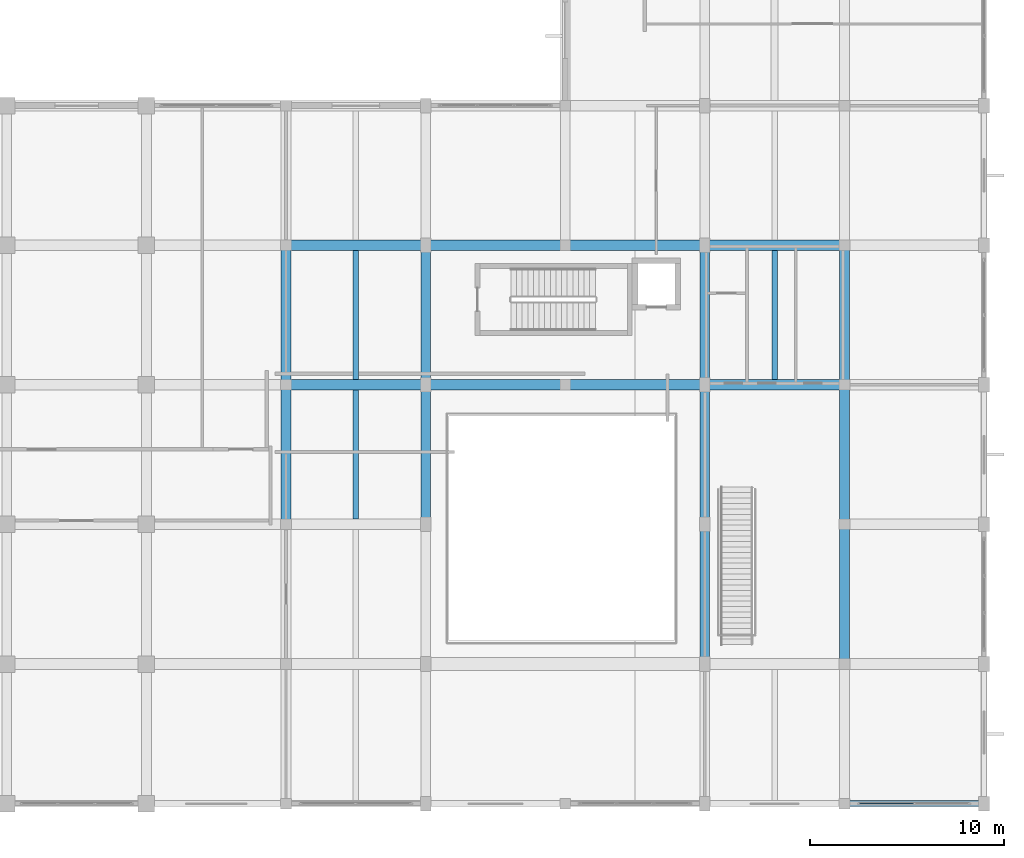
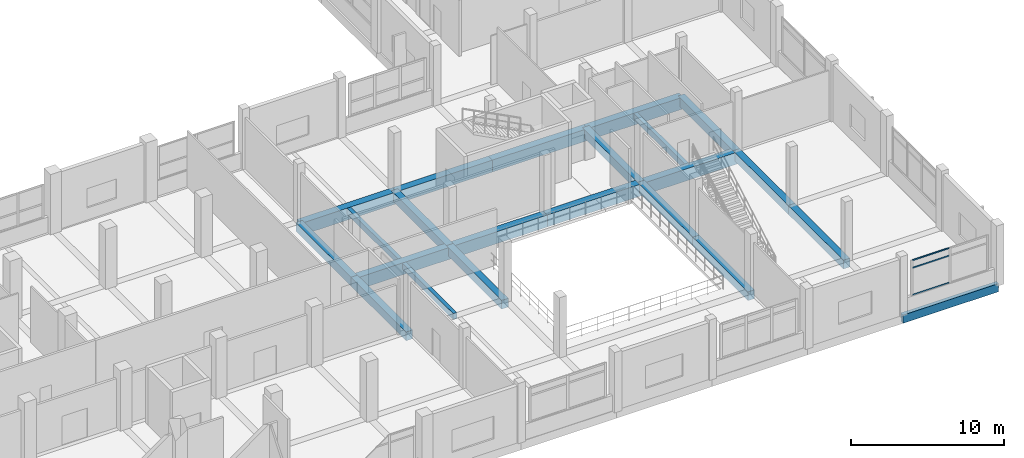
# One storey, part 109 of 181: 22 beams, 3 members, 1 element without a shape of its own.
"""IFC4 building model written with IfcOpenShell, lengths in metres."""

from ifc_helpers import new_model, si_unit, direction, frame, origin, origin_2d, place, context, subcontext, project, spatial, rectangle, hollow_rectangle, extrude, material, layer, layer_set, material_profile, profile_set, type_object, element, aggregate, save


model = new_model("IFC4")

# Units and contexts
model_context = context("Model", 3, precision=1e-05, world=origin(), true_north=direction((0.0, 1.0)))
body_context = subcontext(model_context, "Body", "Model", "MODEL_VIEW")
ifc_project = project(units=[si_unit("LENGTHUNIT", "METRE"), si_unit("AREAUNIT", "SQUARE_METRE"), si_unit("VOLUMEUNIT", "CUBIC_METRE"), si_unit("PLANEANGLEUNIT", "RADIAN"), si_unit("MASSUNIT", "GRAM", prefix="KILO")], contexts=[model_context])

# Site, building, storey
site_placement = place(None, origin())
site = spatial("IfcSite", under=ifc_project, at=site_placement, CompositionType="ELEMENT")
building_placement = place(site_placement, origin())
building = spatial("IfcBuilding", under=site, at=building_placement, Name="Seraya Terrace Polytechnic", CompositionType="ELEMENT")
storey_placement = place(building_placement, frame((0.0, 0.0, 4.800048828125)))
storey = spatial("IfcBuildingStorey", under=building, at=storey_placement, Name="L01", CompositionType="ELEMENT", Elevation=4.800048828125)

# Beams
ifc_material_1 = material(Name="Concrete C40/50", Category="concrete")
ifc_material_profile_1 = material_profile(ifc_material_1, rectangle(XDim=0.550048828125, YDim=0.949951171875, at=origin_2d()), Name="RC 550x950")
ifc_profile_set_1 = profile_set([ifc_material_profile_1], Name="Concrete C40/50")
beam_type_1 = type_object("IfcBeamType", Name="BM-03", PredefinedType="BEAM", material=ifc_profile_set_1)
for number, where, z_axis, x_axis, name in (
    (1, (129.60009765625, 21.60009765625, -0.47509765625), (1.0, 0.0, 0.0), (0.0, 1.0, 0.0), "Beam BM-03 L01 X (129.6..136.8, 21.6)"),
    (2, (136.800048828125, 21.60009765625, -0.47509765625), (1.0, 0.0, 0.0), (0.0, 1.0, 0.0), "Beam BM-03 L01 X (136.8..144.0, 21.6)"),
    (3, (144.0, 21.60009765625, -0.47509765625), (1.0, 0.0, 0.0), (0.0, 1.0, 0.0), "Beam BM-03 L01 X (144.0..151.2, 21.6)"),
    (4, (151.199951171875, 21.60009765625, -0.47509765625), (1.0, 0.0, 0.0), (0.0, 1.0, 0.0), "Beam BM-03 L01 X (151.2..158.4, 21.6)"),
    (5, (129.60009765625, 28.800048828125, -0.47509765625), (1.0, 0.0, 0.0), (0.0, 1.0, 0.0), "Beam BM-03 L01 X (129.6..136.8, 28.8)"),
    (6, (136.800048828125, 28.800048828125, -0.47509765625), (1.0, 0.0, 0.0), (0.0, 1.0, 0.0), "Beam BM-03 L01 X (136.8..144.0, 28.8)"),
    (7, (144.0, 28.800048828125, -0.47509765625), (1.0, 0.0, 0.0), (0.0, 1.0, 0.0), "Beam BM-03 L01 X (144.0..151.2, 28.8)"),
    (8, (151.199951171875, 28.800048828125, -0.47509765625), (1.0, 0.0, 0.0), (0.0, 1.0, 0.0), "Beam BM-03 L01 X (151.2..158.4, 28.8)"),
):
    element("IfcBeam", number, at=place(storey_placement, frame(where, z_axis=z_axis, x_axis=x_axis)), inside=storey, type_object=beam_type_1, Name=name, PredefinedType="BEAM", context=body_context, shape_type="SweptSolid", body=[
        extrude(rectangle(XDim=0.550048828125, YDim=0.949951171875, at=origin_2d()), origin(), (0.0, 0.0, 1.0), 7.199951171875),
    ])
ifc_material_profile_2 = material_profile(ifc_material_1, rectangle(XDim=0.5, YDim=0.699951171875, at=origin_2d()), Name="RC 500x700")
ifc_profile_set_2 = profile_set([ifc_material_profile_2], Name="Concrete C40/50")
beam_type_2 = type_object("IfcBeamType", Name="BM-07", PredefinedType="BEAM", material=ifc_profile_set_2)
beam_1_placement = place(storey_placement, frame((129.60009765625, 14.39990234375, -0.35009765625), z_axis=(0.0, 1.0, 0.0), x_axis=(-1.0, 0.0, 0.0)))
element("IfcBeam", 9, at=beam_1_placement, inside=storey, type_object=beam_type_2, Name="Beam BM-07 L01 Y (129.6, 14.4..21.6)", PredefinedType="BEAM", context=body_context, shape_type="SweptSolid", body=[
    extrude(rectangle(XDim=0.5, YDim=0.699951171875, at=origin_2d()), origin(), (0.0, 0.0, 1.0), 7.2001953125),
])
beam_2_placement = place(storey_placement, frame((129.60009765625, 21.60009765625, -0.35009765625), z_axis=(0.0, 1.0, 0.0), x_axis=(-1.0, 0.0, 0.0)))
element("IfcBeam", 10, at=beam_2_placement, inside=storey, type_object=beam_type_2, Name="Beam BM-07 L01 Y (129.6, 21.6..28.8)", PredefinedType="BEAM", context=body_context, shape_type="SweptSolid", body=[
    extrude(rectangle(XDim=0.5, YDim=0.699951171875, at=origin_2d()), origin(), (0.0, 0.0, 1.0), 7.199951171875),
])
beam_3_placement = place(storey_placement, frame((136.800048828125, 14.39990234375, -0.35009765625), z_axis=(0.0, 1.0, 0.0), x_axis=(-1.0, 0.0, 0.0)))
element("IfcBeam", 11, at=beam_3_placement, inside=storey, type_object=beam_type_2, Name="Beam BM-07 L01 Y (136.8, 14.4..21.6)", PredefinedType="BEAM", context=body_context, shape_type="SweptSolid", body=[
    extrude(rectangle(XDim=0.5, YDim=0.699951171875, at=origin_2d()), origin(), (0.0, 0.0, 1.0), 7.2001953125),
])
for number, where, z_axis, x_axis, name in (
    (12, (136.800048828125, 21.60009765625, -0.35009765625), (0.0, 1.0, 0.0), (-1.0, 0.0, 0.0), "Beam BM-07 L01 Y (136.8, 21.6..28.8)"),
    (13, (151.199951171875, 7.199951171875, -0.35009765625), (0.0, 1.0, 0.0), (-1.0, 0.0, 0.0), "Beam BM-07 L01 Y (151.2, 7.2..14.4)"),
):
    element("IfcBeam", number, at=place(storey_placement, frame(where, z_axis=z_axis, x_axis=x_axis)), inside=storey, type_object=beam_type_2, Name=name, PredefinedType="BEAM", context=body_context, shape_type="SweptSolid", body=[
        extrude(rectangle(XDim=0.5, YDim=0.699951171875, at=origin_2d()), origin(), (0.0, 0.0, 1.0), 7.199951171875),
    ])
beam_4_placement = place(storey_placement, frame((151.199951171875, 14.39990234375, -0.35009765625), z_axis=(0.0, 1.0, 0.0), x_axis=(-1.0, 0.0, 0.0)))
element("IfcBeam", 14, at=beam_4_placement, inside=storey, type_object=beam_type_2, Name="Beam BM-07 L01 Y (151.2, 14.4..21.6)", PredefinedType="BEAM", context=body_context, shape_type="SweptSolid", body=[
    extrude(rectangle(XDim=0.5, YDim=0.699951171875, at=origin_2d()), origin(), (0.0, 0.0, 1.0), 7.2001953125),
])
for number, where, z_axis, x_axis, name in (
    (15, (151.199951171875, 21.60009765625, -0.35009765625), (0.0, 1.0, 0.0), (-1.0, 0.0, 0.0), "Beam BM-07 L01 Y (151.2, 21.6..28.8)"),
    (16, (158.39990234375, 7.199951171875, -0.35009765625), (0.0, 1.0, 0.0), (-1.0, 0.0, 0.0), "Beam BM-07 L01 Y (158.4, 7.2..14.4)"),
):
    element("IfcBeam", number, at=place(storey_placement, frame(where, z_axis=z_axis, x_axis=x_axis)), inside=storey, type_object=beam_type_2, Name=name, PredefinedType="BEAM", context=body_context, shape_type="SweptSolid", body=[
        extrude(rectangle(XDim=0.5, YDim=0.699951171875, at=origin_2d()), origin(), (0.0, 0.0, 1.0), 7.199951171875),
    ])
beam_5_placement = place(storey_placement, frame((158.39990234375, 14.39990234375, -0.35009765625), z_axis=(0.0, 1.0, 0.0), x_axis=(-1.0, 0.0, 0.0)))
element("IfcBeam", 17, at=beam_5_placement, inside=storey, type_object=beam_type_2, Name="Beam BM-07 L01 Y (158.4, 14.4..21.6)", PredefinedType="BEAM", context=body_context, shape_type="SweptSolid", body=[
    extrude(rectangle(XDim=0.5, YDim=0.699951171875, at=origin_2d()), origin(), (0.0, 0.0, 1.0), 7.2001953125),
])
beam_6_placement = place(storey_placement, frame((158.39990234375, 21.60009765625, -0.35009765625), z_axis=(0.0, 1.0, 0.0), x_axis=(-1.0, 0.0, 0.0)))
element("IfcBeam", 18, at=beam_6_placement, inside=storey, type_object=beam_type_2, Name="Beam BM-07 L01 Y (158.4, 21.6..28.8)", PredefinedType="BEAM", context=body_context, shape_type="SweptSolid", body=[
    extrude(rectangle(XDim=0.5, YDim=0.699951171875, at=origin_2d()), origin(), (0.0, 0.0, 1.0), 7.199951171875),
])

# Curtain wall, members
ifc_material_2 = material(Name="Anodised aluminium EN AW-6063 T6", Category="aluminium")
ifc_layer = layer(ifc_material_2, 0.179931640625, Name="CW-27")
ifc_layer_set = layer_set([ifc_layer], Name="Anodised aluminium EN AW-6063 T6")
curtain_wall_type = type_object("IfcCurtainWallType", Name="CW-27", PredefinedType="NOTDEFINED", material=ifc_layer_set)
curtain_wall_placement = place(storey_placement, origin())
curtain_wall = element("IfcCurtainWall", 19, at=curtain_wall_placement, inside=storey, type_object=curtain_wall_type, Name="Unitised curtain wall CW-27 (CW-L01-027)", PredefinedType="NOTDEFINED")
ifc_material_profile_3 = material_profile(ifc_material_2, hollow_rectangle(XDim=0.054931640625, YDim=0.10009765625, WallThickness=0.0029296875, at=origin_2d()), Name="RHS 100x55x3.0")
ifc_profile_set_3 = profile_set([ifc_material_profile_3], Name="Anodised aluminium EN AW-6063 T6")
member_type = type_object("IfcMemberType", Name="CWT-03", PredefinedType="USERDEFINED", material=ifc_profile_set_3)
member_1_placement = place(storey_placement, frame((161.969970703125, 0.0, 1.267333984375), z_axis=(-1.0, 0.0, 0.0), x_axis=(0.0, -1.0, 0.0)))
member_1 = element("IfcMember", 20, at=member_1_placement, type_object=member_type, Name="CW-27 transom 2.1", ObjectType="TRANSOM", PredefinedType="USERDEFINED", context=body_context, shape_type="SweptSolid", body=[
    extrude(hollow_rectangle(XDim=0.054931640625, YDim=0.10009765625, WallThickness=0.0029296875, at=origin_2d()), origin(), (0.0, 0.0, 1.0), 2.7900390625),
])
member_2_placement = place(storey_placement, frame((161.969970703125, 0.0, 3.419921875), z_axis=(-1.0, 0.0, 0.0), x_axis=(0.0, -1.0, 0.0)))
member_2 = element("IfcMember", 21, at=member_2_placement, type_object=member_type, Name="CW-27 transom 2.2", ObjectType="TRANSOM", PredefinedType="USERDEFINED", context=body_context, shape_type="SweptSolid", body=[
    extrude(hollow_rectangle(XDim=0.054931640625, YDim=0.10009765625, WallThickness=0.0029296875, at=origin_2d()), origin(), (0.0, 0.0, 1.0), 2.7900390625),
])
member_3_placement = place(storey_placement, frame((161.969970703125, 0.0, 4.012451171875), z_axis=(-1.0, 0.0, 0.0), x_axis=(0.0, -1.0, 0.0)))
member_3 = element("IfcMember", 22, at=member_3_placement, type_object=member_type, Name="CW-27 transom 2.3", ObjectType="TRANSOM", PredefinedType="USERDEFINED", context=body_context, shape_type="SweptSolid", body=[
    extrude(hollow_rectangle(XDim=0.054931640625, YDim=0.10009765625, WallThickness=0.0029296875, at=origin_2d()), origin(), (0.0, 0.0, 1.0), 2.7900390625),
])
aggregate(curtain_wall, [member_1, member_2, member_3])

# Beams
ifc_material_profile_4 = material_profile(ifc_material_1, rectangle(XDim=0.280029296875, YDim=0.47998046875, at=origin_2d()), Name="RC 280x480")
ifc_profile_set_4 = profile_set([ifc_material_profile_4], Name="Concrete C40/50")
beam_type_3 = type_object("IfcBeamType", Name="JS-07", PredefinedType="JOIST", material=ifc_profile_set_4)
for number, where, z_axis, x_axis, name in (
    (23, (133.199951171875, 14.675048828125, -0.239990234375), (0.0, 1.0, 0.0), (-1.0, 0.0, 0.0), "Secondary joist JS-07 L01"),
    (24, (133.199951171875, 21.875, -0.239990234375), (0.0, 1.0, 0.0), (-1.0, 0.0, 0.0), "Secondary joist JS-07 L01"),
    (25, (154.800048828125, 21.875, -0.239990234375), (0.0, 1.0, 0.0), (-1.0, 0.0, 0.0), "Secondary joist JS-07 L01"),
):
    element("IfcBeam", number, at=place(storey_placement, frame(where, z_axis=z_axis, x_axis=x_axis)), inside=storey, type_object=beam_type_3, Name=name, PredefinedType="JOIST", context=body_context, shape_type="SweptSolid", body=[
        extrude(rectangle(XDim=0.280029296875, YDim=0.47998046875, at=origin_2d()), origin(), (0.0, 0.0, 1.0), 6.64990234375),
    ])
ifc_material_profile_5 = material_profile(ifc_material_1, rectangle(XDim=0.300048828125, YDim=0.64990234375, at=origin_2d()), Name="RC 300x650")
ifc_profile_set_5 = profile_set([ifc_material_profile_5], Name="Concrete C40/50")
beam_type_4 = type_object("IfcBeamType", Name="SP-01", PredefinedType="SPANDREL", material=ifc_profile_set_5)
beam_7_placement = place(storey_placement, frame((158.39990234375, 0.0, -0.324951171875), z_axis=(1.0, 0.0, 0.0), x_axis=(0.0, 1.0, 0.0)))
element("IfcBeam", 26, at=beam_7_placement, inside=storey, type_object=beam_type_4, Name="Beam SP-01 L01 X (158.4..165.6, 0.0)", PredefinedType="SPANDREL", context=body_context, shape_type="SweptSolid", body=[
    extrude(rectangle(XDim=0.300048828125, YDim=0.64990234375, at=origin_2d()), origin(), (0.0, 0.0, 1.0), 7.2001953125),
])

save(model, "model.ifc")
